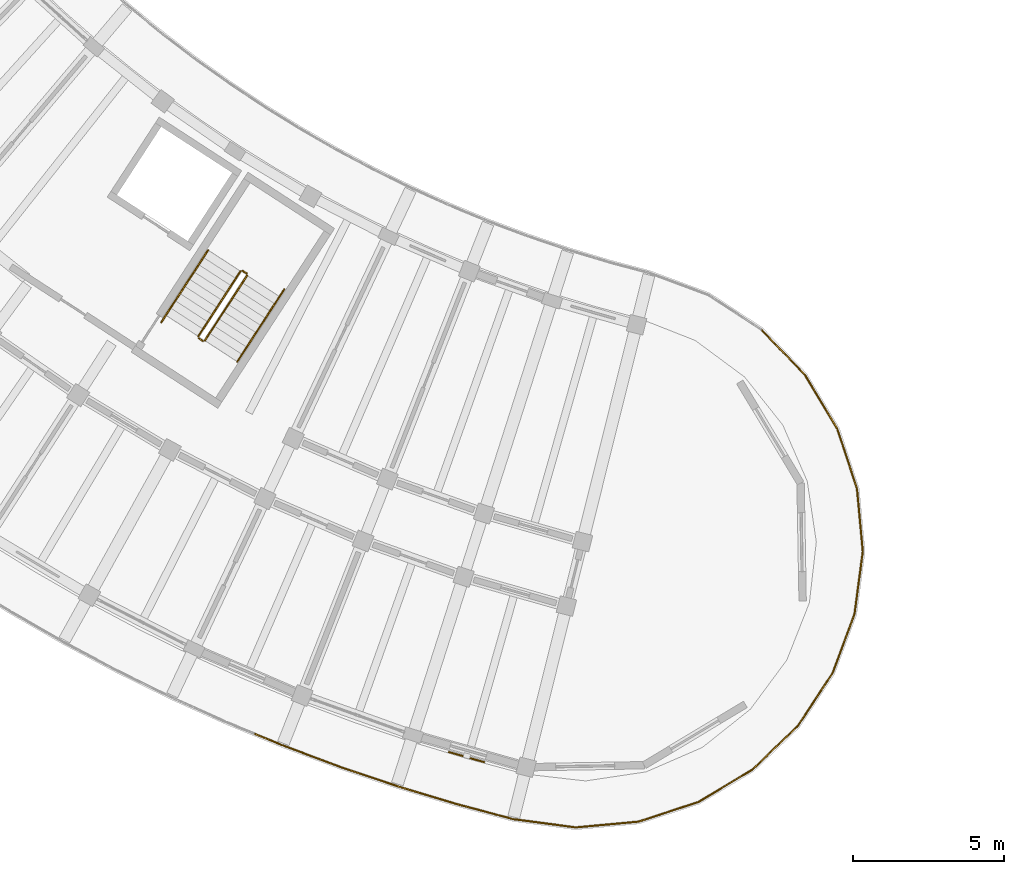
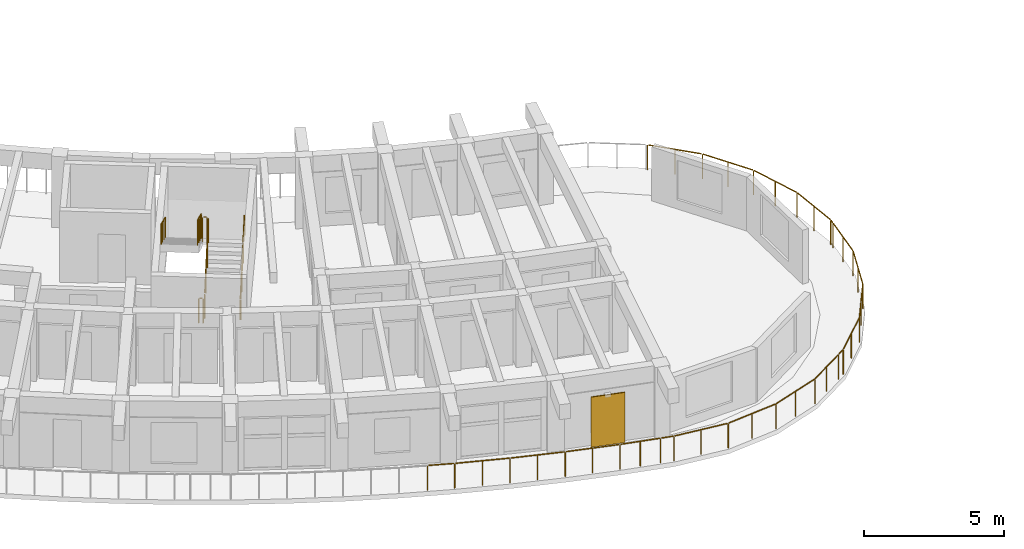
# One storey, part 81 of 96: 14 railings, 1 shading device.
"""IFC4 building model written with IfcOpenShell, lengths in metres."""

from ifc_helpers import new_model, si_unit, direction, frame, origin, origin_2d, place, context, subcontext, project, spatial, rectangle, circle, extrude, material, layer, layer_set, type_object, element, save


model = new_model("IFC4")

# Units and contexts
model_context = context("Model", 3, precision=1e-05, world=origin(), true_north=direction((0.0, 1.0)))
body_context = subcontext(model_context, "Body", "Model", "MODEL_VIEW")
ifc_project = project(units=[si_unit("LENGTHUNIT", "METRE"), si_unit("AREAUNIT", "SQUARE_METRE"), si_unit("VOLUMEUNIT", "CUBIC_METRE"), si_unit("PLANEANGLEUNIT", "RADIAN"), si_unit("MASSUNIT", "GRAM", prefix="KILO")], contexts=[model_context])

# Site, building, storey
site_placement = place(None, origin())
site = spatial("IfcSite", under=ifc_project, at=site_placement, CompositionType="ELEMENT")
building_placement = place(site_placement, origin())
building = spatial("IfcBuilding", under=site, at=building_placement, Name="Tanwirah Colonnade Gardens", CompositionType="ELEMENT")
storey_placement = place(building_placement, frame((0.0, 0.0, 12.199951171875)))
storey = spatial("IfcBuildingStorey", under=building, at=storey_placement, Name="L03", CompositionType="ELEMENT", Elevation=12.199951171875)

# Railings
ifc_material_1 = material(Name="Precast concrete C40/50", Category="concrete")
railing_type_1 = type_object("IfcRailingType", Name="BAL-EXT110", PredefinedType="BALUSTRADE", material=ifc_material_1)
railing_1_placement = place(storey_placement, frame((58.4072265625, 21.1796875, 0.0)))
element("IfcRailing", 1, at=railing_1_placement, inside=storey, type_object=railing_type_1, Name="Block C L03 Balcony Ribbon Balustrade 7", PredefinedType="BALUSTRADE", context=body_context, shape_type="SweptSolid", body=[
    extrude(circle(Radius=0.02392578125, at=origin_2d()), frame((0.021728515625, -0.0224609375, 1.076171875), z_axis=(0.692905401336, -0.721028504845, 0.0), x_axis=(0.721028504845, 0.692905401336, 0.0)), (0.0, 0.0, 1.0), 1.9775390625),
    extrude(circle(Radius=0.02392578125, at=origin_2d()), frame((1.4296875, -1.497802734375, 1.076171875), z_axis=(0.514994600754, -0.85719342111, 0.0), x_axis=(0.85719342111, 0.514994600754, 0.0)), (0.0, 0.0, 1.0), 2.0244140625),
    extrude(circle(Radius=0.02392578125, at=origin_2d()), frame((2.498046875, -3.28955078125, 1.076171875), z_axis=(0.311415597507, -0.950273816134, 0.0), x_axis=(0.950273816134, 0.311415597507, 0.0)), (0.0, 0.0, 1.0), 2.0244140625),
    extrude(circle(Radius=0.02392578125, at=origin_2d()), frame((3.14111328125, -5.274169921875, 1.076171875), z_axis=(0.092181027347, -0.995742264945, 0.0), x_axis=(0.995742264945, 0.092181027347, 0.0)), (0.0, 0.0, 1.0), 2.0244140625),
    extrude(circle(Radius=0.02392578125, at=origin_2d()), frame((3.326416015625, -7.35205078125, 1.076171875), z_axis=(-0.132485122951, -0.991184993932, 0.0), x_axis=(0.991184993932, -0.132485122951, 0.0)), (0.0, 0.0, 1.0), 0.136474609375),
    extrude(circle(Radius=0.02099609375, at=origin_2d()), origin(), (0.0, 0.0, 1.0), 1.049072265625),
    extrude(circle(Radius=0.02099609375, at=origin_2d()), frame((0.706787109375, -0.7353515625, 0.0)), (0.0, 0.0, 1.0), 1.049072265625),
    extrude(circle(Radius=0.02099609375, at=origin_2d()), frame((1.41357421875, -1.470947265625, 0.0)), (0.0, 0.0, 1.0), 1.049072265625),
    extrude(circle(Radius=0.02099609375, at=origin_2d()), frame((1.950927734375, -2.365234375, 0.0)), (0.0, 0.0, 1.0), 1.049072265625),
    extrude(circle(Radius=0.02099609375, at=origin_2d()), frame((2.48828125, -3.259765625, 0.0)), (0.0, 0.0, 1.0), 1.049072265625),
    extrude(circle(Radius=0.02099609375, at=origin_2d()), frame((2.813232421875, -4.25146484375, 0.0)), (0.0, 0.0, 1.0), 1.049072265625),
    extrude(circle(Radius=0.02099609375, at=origin_2d()), frame((3.13818359375, -5.242919921875, 0.0)), (0.0, 0.0, 1.0), 1.049072265625),
    extrude(circle(Radius=0.02099609375, at=origin_2d()), frame((3.234375, -6.281982421875, 0.0)), (0.0, 0.0, 1.0), 1.049072265625),
    extrude(circle(Radius=0.02099609375, at=origin_2d()), frame((3.33056640625, -7.321044921875, 0.0)), (0.0, 0.0, 1.0), 1.049072265625),
    extrude(circle(Radius=0.02099609375, at=origin_2d()), frame((3.30419921875, -7.518310546875, 0.0)), (0.0, 0.0, 1.0), 1.049072265625),
])
railing_2_placement = place(storey_placement, frame((61.71142578125, 13.661376953125, 0.0)))
element("IfcRailing", 2, at=railing_2_placement, inside=storey, type_object=railing_type_1, Name="Block C L03 Balcony Ribbon Balustrade 8", PredefinedType="BALUSTRADE", context=body_context, shape_type="SweptSolid", body=[
    extrude(circle(Radius=0.02392578125, at=origin_2d()), frame((-0.004150390625, -0.031005859375, 1.076171875), z_axis=(-0.131782511201, -0.991278653932, 0.0), x_axis=(0.991278653932, -0.131782511201, 0.0)), (0.0, 0.0, 1.0), 1.8251953125),
    extrude(circle(Radius=0.02392578125, at=origin_2d()), frame((-0.259765625, -1.900634765625, 1.076171875), z_axis=(-0.348994198599, -0.937124884604, 0.0), x_axis=(0.937124884604, -0.348994198599, 0.0)), (0.0, 0.0, 1.0), 2.024169921875),
    extrude(circle(Radius=0.02392578125, at=origin_2d()), frame((-0.994140625, -3.85302734375, 1.076171875), z_axis=(-0.548773979468, -0.835970764715, 0.0), x_axis=(0.835970764715, -0.548773979468, 0.0)), (0.0, 0.0, 1.0), 2.0244140625),
    extrude(circle(Radius=0.02392578125, at=origin_2d()), frame((-2.144775390625, -5.59326171875, 1.076171875), z_axis=(-0.721062309091, -0.692870223353, 0.0), x_axis=(0.692870223353, -0.721062309091, 0.0)), (0.0, 0.0, 1.0), 2.0244140625),
    extrude(circle(Radius=0.02392578125, at=origin_2d()), frame((-3.654052734375, -7.03369140625, 1.076171875), z_axis=(-0.857492925713, -0.514495755428, 0.0), x_axis=(0.514495755428, -0.857492925713, 0.0)), (0.0, 0.0, 1.0), 0.2890625),
    extrude(circle(Radius=0.02099609375, at=origin_2d()), origin(), (0.0, 0.0, 1.0), 1.049072265625),
    extrude(circle(Radius=0.02099609375, at=origin_2d()), frame((-0.12451171875, -0.935546875, 0.0)), (0.0, 0.0, 1.0), 1.049072265625),
    extrude(circle(Radius=0.02099609375, at=origin_2d()), frame((-0.248779296875, -1.871337890625, 0.0)), (0.0, 0.0, 1.0), 1.049072265625),
    extrude(circle(Radius=0.02099609375, at=origin_2d()), frame((-0.61279296875, -2.84912109375, 0.0)), (0.0, 0.0, 1.0), 1.049072265625),
    extrude(circle(Radius=0.02099609375, at=origin_2d()), frame((-0.97705078125, -3.826904296875, 0.0)), (0.0, 0.0, 1.0), 1.049072265625),
    extrude(circle(Radius=0.02099609375, at=origin_2d()), frame((-1.5498046875, -4.69921875, 0.0)), (0.0, 0.0, 1.0), 1.049072265625),
    extrude(circle(Radius=0.02099609375, at=origin_2d()), frame((-2.122314453125, -5.571533203125, 0.0)), (0.0, 0.0, 1.0), 1.049072265625),
    extrude(circle(Radius=0.02099609375, at=origin_2d()), frame((-2.874755859375, -6.29443359375, 0.0)), (0.0, 0.0, 1.0), 1.049072265625),
    extrude(circle(Radius=0.02099609375, at=origin_2d()), frame((-3.627197265625, -7.017578125, 0.0)), (0.0, 0.0, 1.0), 1.049072265625),
    extrude(circle(Radius=0.02099609375, at=origin_2d()), frame((-3.9287109375, -7.198486328125, 0.0)), (0.0, 0.0, 1.0), 1.049072265625),
])
railing_3_placement = place(storey_placement, frame((57.78271484375, 6.462890625, 0.0)))
element("IfcRailing", 3, at=railing_3_placement, inside=storey, type_object=railing_type_1, Name="Block C L03 Balcony Ribbon Balustrade 9", PredefinedType="BALUSTRADE", context=body_context, shape_type="SweptSolid", body=[
    extrude(circle(Radius=0.02392578125, at=origin_2d()), frame((-0.02685546875, -0.01611328125, 1.076171875), z_axis=(-0.857132694219, -0.515095665387, 0.0), x_axis=(0.515095665387, -0.857132694219, 0.0)), (0.0, 0.0, 1.0), 1.672607421875),
    extrude(circle(Radius=0.02392578125, at=origin_2d()), frame((-1.51708984375, -0.903564453125, 1.076171875), z_axis=(-0.950273816134, -0.311415597507, 0.0), x_axis=(0.311415597507, -0.950273816134, 0.0)), (0.0, 0.0, 1.0), 2.0244140625),
    extrude(circle(Radius=0.02392578125, at=origin_2d()), frame((-3.501708984375, -1.546630859375, 1.076171875), z_axis=(-0.995752995821, -0.0920650385, 0.0), x_axis=(0.0920650385, -0.995752995821, 0.0)), (0.0, 0.0, 1.0), 2.0244140625),
    extrude(circle(Radius=0.02392578125, at=origin_2d()), frame((-5.57958984375, -1.731689453125, 1.076171875), z_axis=(-0.991286952851, 0.131720071011, 0.0), x_axis=(-0.131720071011, -0.991286952851, 0.0)), (0.0, 0.0, 1.0), 2.0283203125),
    extrude(circle(Radius=0.02392578125, at=origin_2d()), frame((-7.6513671875, -1.452392578125, 1.076171875), z_axis=(-0.966202518502, 0.257784198974, 0.0), x_axis=(-0.257784198974, -0.966202518502, 0.0)), (0.0, 0.0, 1.0), 0.4375),
    extrude(circle(Radius=0.02099609375, at=origin_2d()), origin(), (0.0, 0.0, 1.0), 1.049072265625),
    extrude(circle(Radius=0.02099609375, at=origin_2d()), frame((-0.74365234375, -0.44677734375, 0.0)), (0.0, 0.0, 1.0), 1.049072265625),
    extrude(circle(Radius=0.02099609375, at=origin_2d()), frame((-1.4873046875, -0.893798828125, 0.0)), (0.0, 0.0, 1.0), 1.049072265625),
    extrude(circle(Radius=0.02099609375, at=origin_2d()), frame((-2.47900390625, -1.21875, 0.0)), (0.0, 0.0, 1.0), 1.049072265625),
    extrude(circle(Radius=0.02099609375, at=origin_2d()), frame((-3.470458984375, -1.543701171875, 0.0)), (0.0, 0.0, 1.0), 1.049072265625),
    extrude(circle(Radius=0.02099609375, at=origin_2d()), frame((-4.509521484375, -1.6396484375, 0.0)), (0.0, 0.0, 1.0), 1.049072265625),
    extrude(circle(Radius=0.02099609375, at=origin_2d()), frame((-5.548583984375, -1.73583984375, 0.0)), (0.0, 0.0, 1.0), 1.049072265625),
    extrude(circle(Radius=0.02099609375, at=origin_2d()), frame((-6.5849609375, -1.59814453125, 0.0)), (0.0, 0.0, 1.0), 1.049072265625),
    extrude(circle(Radius=0.02099609375, at=origin_2d()), frame((-7.62109375, -1.46044921875, 0.0)), (0.0, 0.0, 1.0), 1.049072265625),
    extrude(circle(Radius=0.02099609375, at=origin_2d()), frame((-8.104248046875, -1.33154296875, 0.0)), (0.0, 0.0, 1.0), 1.049072265625),
])
railing_4_placement = place(storey_placement, frame((49.678466796875, 5.13134765625, 0.0)))
element("IfcRailing", 4, at=railing_4_placement, inside=storey, type_object=railing_type_1, Name="Block C L03 Balcony Ribbon Balustrade 10", PredefinedType="BALUSTRADE", context=body_context, shape_type="SweptSolid", body=[
    extrude(circle(Radius=0.02392578125, at=origin_2d()), frame((-0.0302734375, 0.008056640625, 1.076171875), z_axis=(-0.966189083101, 0.257834551014, 0.0), x_axis=(-0.257834551014, -0.966189083101, 0.0)), (0.0, 0.0, 1.0), 1.440185546875),
    extrude(circle(Radius=0.02392578125, at=origin_2d()), frame((-1.48193359375, 0.396484375, 1.076171875), z_axis=(-0.957268624199, 0.289200243991, 0.0), x_axis=(-0.289200243991, -0.957268624199, 0.0)), (0.0, 0.0, 1.0), 1.944091796875),
    extrude(circle(Radius=0.02392578125, at=origin_2d()), frame((-3.40234375, 0.977783203125, 1.076171875), z_axis=(-0.947287006593, 0.320386215589, 0.0), x_axis=(-0.320386215589, -0.947287006593, 0.0)), (0.0, 0.0, 1.0), 1.94384765625),
    extrude(circle(Radius=0.02392578125, at=origin_2d()), frame((-5.302734375, 1.62158203125, 1.076171875), z_axis=(-0.93628917395, 0.351230099427, 0.0), x_axis=(-0.351230099427, -0.93628917395, 0.0)), (0.0, 0.0, 1.0), 1.9443359375),
    extrude(circle(Radius=0.02392578125, at=origin_2d()), frame((-7.18115234375, 2.327392578125, 1.076171875), z_axis=(-0.924320802518, 0.381616370237, 0.0), x_axis=(-0.381616370237, -0.924320802518, 0.0)), (0.0, 0.0, 1.0), 0.9150390625),
    extrude(circle(Radius=0.02099609375, at=origin_2d()), origin(), (0.0, 0.0, 1.0), 1.049072265625),
    extrude(circle(Radius=0.02099609375, at=origin_2d()), frame((-0.72607421875, 0.19384765625, 0.0)), (0.0, 0.0, 1.0), 1.049072265625),
    extrude(circle(Radius=0.02099609375, at=origin_2d()), frame((-1.451904296875, 0.387451171875, 0.0)), (0.0, 0.0, 1.0), 1.049072265625),
    extrude(circle(Radius=0.02099609375, at=origin_2d()), frame((-2.412353515625, 0.677734375, 0.0)), (0.0, 0.0, 1.0), 1.049072265625),
    extrude(circle(Radius=0.02099609375, at=origin_2d()), frame((-3.372802734375, 0.9677734375, 0.0)), (0.0, 0.0, 1.0), 1.049072265625),
    extrude(circle(Radius=0.02099609375, at=origin_2d()), frame((-4.3232421875, 1.2890625, 0.0)), (0.0, 0.0, 1.0), 1.049072265625),
    extrude(circle(Radius=0.02099609375, at=origin_2d()), frame((-5.2734375, 1.610595703125, 0.0)), (0.0, 0.0, 1.0), 1.049072265625),
    extrude(circle(Radius=0.02099609375, at=origin_2d()), frame((-6.212890625, 1.962890625, 0.0)), (0.0, 0.0, 1.0), 1.049072265625),
    extrude(circle(Radius=0.02099609375, at=origin_2d()), frame((-7.15234375, 2.3154296875, 0.0)), (0.0, 0.0, 1.0), 1.049072265625),
    extrude(circle(Radius=0.02099609375, at=origin_2d()), frame((-8.055908203125, 2.6884765625, 0.0)), (0.0, 0.0, 1.0), 1.049072265625),
])
ifc_material_2 = material(Name="Powder-coated galvanized steel", Category="steel")
railing_type_2 = type_object("IfcRailingType", Name="GRD-ST110", PredefinedType="GUARDRAIL", material=ifc_material_2)
railing_5_placement = place(storey_placement, frame((39.955078125, 20.84814453125, 0.16796875)))
element("IfcRailing", 5, at=railing_5_placement, inside=storey, type_object=railing_type_2, Name="L03 ST-C2 stair guard 1", PredefinedType="GUARDRAIL", context=body_context, shape_type="SweptSolid", body=[
    extrude(circle(Radius=0.02392578125, at=origin_2d()), frame((0.0146484375, 0.022705078125, 1.092041015625), z_axis=(0.469192556557, 0.722484378858, 0.507813614603), x_axis=(-0.838667537708, 0.544643701143, 0.0)), (0.0, 0.0, 1.0), 2.914794921875),
    extrude(circle(Radius=0.02099609375, at=origin_2d()), origin(), (0.0, 0.0, 1.0), 1.049072265625),
    extrude(circle(Radius=0.02099609375, at=origin_2d()), frame((0.465576171875, 0.717041015625, 0.50390625)), (0.0, 0.0, 1.0), 1.049072265625),
    extrude(circle(Radius=0.02099609375, at=origin_2d()), frame((0.931396484375, 1.43408203125, 1.008056640625)), (0.0, 0.0, 1.0), 1.049072265625),
    extrude(circle(Radius=0.02099609375, at=origin_2d()), frame((1.39697265625, 2.151123046875, 1.511962890625)), (0.0, 0.0, 1.0), 1.049072265625),
])
railing_6_placement = place(storey_placement, frame((41.33740234375, 23.068603515625, 1.679931640625)))
element("IfcRailing", 6, at=railing_6_placement, inside=storey, type_object=railing_type_2, Name="L03 ST-C2 stair guard 2", PredefinedType="GUARDRAIL", context=body_context, shape_type="SweptSolid", body=[
    extrude(circle(Radius=0.02392578125, at=origin_2d()), frame((-0.026123046875, 0.01708984375, 1.076171875), z_axis=(-0.838791880614, 0.544452184326, 0.0), x_axis=(-0.544452184326, -0.838791880614, 0.0)), (0.0, 0.0, 1.0), 0.09765625),
    extrude(circle(Radius=0.02099609375, at=origin_2d()), origin(), (0.0, 0.0, 1.0), 1.049072265625),
    extrude(circle(Radius=0.02099609375, at=origin_2d()), frame((-0.13427734375, 0.087158203125, 0.0)), (0.0, 0.0, 1.0), 1.049072265625),
])
railing_7_placement = place(storey_placement, frame((41.134033203125, 23.140869140625, 1.84814453125)))
element("IfcRailing", 7, at=railing_7_placement, inside=storey, type_object=railing_type_2, Name="L03 ST-C2 stair guard 3", PredefinedType="GUARDRAIL", context=body_context, shape_type="SweptSolid", body=[
    extrude(circle(Radius=0.02392578125, at=origin_2d()), frame((-0.0146484375, -0.022705078125, 1.092041015625), z_axis=(-0.469192556557, -0.722484378858, 0.507813614603), x_axis=(0.838667537708, -0.544643701143, 0.0)), (0.0, 0.0, 1.0), 2.914794921875),
    extrude(circle(Radius=0.02099609375, at=origin_2d()), origin(), (0.0, 0.0, 1.0), 1.049072265625),
    extrude(circle(Radius=0.02099609375, at=origin_2d()), frame((-0.465576171875, -0.717041015625, 0.50390625)), (0.0, 0.0, 1.0), 1.049072265625),
    extrude(circle(Radius=0.02099609375, at=origin_2d()), frame((-0.931396484375, -1.43408203125, 1.008056640625)), (0.0, 0.0, 1.0), 1.049072265625),
    extrude(circle(Radius=0.02099609375, at=origin_2d()), frame((-1.39697265625, -2.151123046875, 1.511962890625)), (0.0, 0.0, 1.0), 1.049072265625),
])
railing_8_placement = place(storey_placement, frame((39.8857421875, 20.83349609375, 0.0)))
element("IfcRailing", 8, at=railing_8_placement, inside=storey, type_object=railing_type_2, Name="L03 ST-C2 stair guard 4", PredefinedType="GUARDRAIL", context=body_context, shape_type="SweptSolid", body=[
    extrude(circle(Radius=0.02392578125, at=origin_2d()), frame((-0.026123046875, 0.01708984375, 1.076171875), z_axis=(-0.838338936283, 0.545149362938, 0.0), x_axis=(-0.545149362938, -0.838338936283, 0.0)), (0.0, 0.0, 1.0), 0.097412109375),
    extrude(circle(Radius=0.02099609375, at=origin_2d()), origin(), (0.0, 0.0, 1.0), 1.049072265625),
    extrude(circle(Radius=0.02099609375, at=origin_2d()), frame((-0.134033203125, 0.087158203125, 0.0)), (0.0, 0.0, 1.0), 1.049072265625),
])
ifc_material_3 = material(Name="Brushed bronze stainless steel", Category="steel")
railing_type_3 = type_object("IfcRailingType", Name="HR-ST090", PredefinedType="HANDRAIL", material=ifc_material_3)
railing_9_placement = place(storey_placement, frame((41.028564453125, 20.151123046875, 0.16796875)))
element("IfcRailing", 9, at=railing_9_placement, inside=storey, type_object=railing_type_3, Name="L03 ST-C2 stair handrail 1", PredefinedType="HANDRAIL", context=body_context, shape_type="SweptSolid", body=[
    extrude(circle(Radius=0.02392578125, at=origin_2d()), frame((0.0146484375, 0.0224609375, 0.891845703125), z_axis=(0.467836641068, 0.720411023977, 0.511993001717), x_axis=(-0.838672561027, 0.544635965926, 0.0)), (0.0, 0.0, 1.0), 1.043212890625),
    extrude(circle(Radius=0.02099609375, at=origin_2d()), origin(), (0.0, 0.0, 1.0), 0.848876953125),
    extrude(circle(Radius=0.02099609375, at=origin_2d()), frame((0.517333984375, 0.796630859375, 0.566162109375)), (0.0, 0.0, 1.0), 0.848876953125),
])
railing_10_placement = place(storey_placement, frame((41.5458984375, 20.94775390625, 0.734130859375)))
element("IfcRailing", 10, at=railing_10_placement, inside=storey, type_object=railing_type_3, Name="L03 ST-C2 stair handrail 2", PredefinedType="HANDRAIL", context=body_context, shape_type="SweptSolid", body=[
    extrude(circle(Radius=0.02392578125, at=origin_2d()), frame((0.0146484375, 0.0224609375, 0.891845703125), z_axis=(0.467889522294, 0.720492454576, 0.511830067333), x_axis=(-0.838672561027, 0.544635965926, 0.0)), (0.0, 0.0, 1.0), 1.043212890625),
    extrude(circle(Radius=0.02099609375, at=origin_2d()), origin(), (0.0, 0.0, 1.0), 0.848876953125),
    extrude(circle(Radius=0.02099609375, at=origin_2d()), frame((0.517333984375, 0.796630859375, 0.56591796875)), (0.0, 0.0, 1.0), 0.848876953125),
])
railing_11_placement = place(storey_placement, frame((42.063232421875, 21.744384765625, 1.300048828125)))
element("IfcRailing", 11, at=railing_11_placement, inside=storey, type_object=railing_type_3, Name="L03 ST-C2 stair handrail 3", PredefinedType="HANDRAIL", context=body_context, shape_type="SweptSolid", body=[
    extrude(circle(Radius=0.02392578125, at=origin_2d()), frame((0.0146484375, 0.0224609375, 0.891845703125), z_axis=(0.467987521127, 0.720524183471, 0.511695789609), x_axis=(-0.838631412534, 0.544699324317, 0.0)), (0.0, 0.0, 1.0), 1.04345703125),
    extrude(circle(Radius=0.02099609375, at=origin_2d()), origin(), (0.0, 0.0, 1.0), 0.848876953125),
    extrude(circle(Radius=0.02099609375, at=origin_2d()), frame((0.517578125, 0.796875, 0.56591796875)), (0.0, 0.0, 1.0), 0.848876953125),
])
railing_12_placement = place(storey_placement, frame((40.060546875, 23.838134765625, 1.84814453125)))
element("IfcRailing", 12, at=railing_12_placement, inside=storey, type_object=railing_type_3, Name="L03 ST-C2 stair handrail 4", PredefinedType="HANDRAIL", context=body_context, shape_type="SweptSolid", body=[
    extrude(circle(Radius=0.02392578125, at=origin_2d()), frame((-0.0146484375, -0.0224609375, 0.891845703125), z_axis=(-0.467987521127, -0.720524183471, 0.511695789609), x_axis=(0.838631412534, -0.544699324317, 0.0)), (0.0, 0.0, 1.0), 1.04345703125),
    extrude(circle(Radius=0.02099609375, at=origin_2d()), origin(), (0.0, 0.0, 1.0), 0.848876953125),
    extrude(circle(Radius=0.02099609375, at=origin_2d()), frame((-0.517578125, -0.796875, 0.56591796875)), (0.0, 0.0, 1.0), 0.848876953125),
])
railing_13_placement = place(storey_placement, frame((39.54296875, 23.041259765625, 2.4140625)))
element("IfcRailing", 13, at=railing_13_placement, inside=storey, type_object=railing_type_3, Name="L03 ST-C2 stair handrail 5", PredefinedType="HANDRAIL", context=body_context, shape_type="SweptSolid", body=[
    extrude(circle(Radius=0.02392578125, at=origin_2d()), frame((-0.0146484375, -0.0224609375, 0.891845703125), z_axis=(-0.467889522294, -0.720492454576, 0.511830067333), x_axis=(0.838672561027, -0.544635965926, 0.0)), (0.0, 0.0, 1.0), 1.043212890625),
    extrude(circle(Radius=0.02099609375, at=origin_2d()), origin(), (0.0, 0.0, 1.0), 0.848876953125),
    extrude(circle(Radius=0.02099609375, at=origin_2d()), frame((-0.517333984375, -0.796630859375, 0.56591796875)), (0.0, 0.0, 1.0), 0.848876953125),
])
railing_14_placement = place(storey_placement, frame((39.025634765625, 22.24462890625, 2.97998046875)))
element("IfcRailing", 14, at=railing_14_placement, inside=storey, type_object=railing_type_3, Name="L03 ST-C2 stair handrail 6", PredefinedType="HANDRAIL", context=body_context, shape_type="SweptSolid", body=[
    extrude(circle(Radius=0.02392578125, at=origin_2d()), frame((-0.0146484375, -0.0224609375, 0.891845703125), z_axis=(-0.467836641068, -0.720411023977, 0.511993001717), x_axis=(0.838672561027, -0.544635965926, 0.0)), (0.0, 0.0, 1.0), 1.043212890625),
    extrude(circle(Radius=0.02099609375, at=origin_2d()), origin(), (0.0, 0.0, 1.0), 0.848876953125),
    extrude(circle(Radius=0.02099609375, at=origin_2d()), frame((-0.517333984375, -0.796630859375, 0.566162109375)), (0.0, 0.0, 1.0), 0.848876953125),
])

# Shading device
ifc_material_4 = material(Name="Perforated architectural bronze aluminium", Category="aluminium")
ifc_layer = layer(ifc_material_4, 0.044921875)
ifc_layer_set = layer_set([ifc_layer], Name="Perforated architectural bronze aluminium")
shading_device_type = type_object("IfcShadingDeviceType", Name="SHD-MSH1", PredefinedType="JALOUSIE", material=ifc_layer_set)
shading_device_placement = place(storey_placement, frame((48.61669921875, 7.054931640625, 0.0), z_axis=(0.0, 0.0, 1.0), x_axis=(0.961860770803, -0.273539499139, 0.0)))
element("IfcShadingDevice", 15, at=shading_device_placement, inside=storey, type_object=shading_device_type, Name="Bronze mashrabiya solar screen C-L03-15", PredefinedType="JALOUSIE", context=body_context, shape_type="SweptSolid", body=[
    extrude(rectangle(XDim=1.239990234375, YDim=0.044921875, at=origin_2d()), origin(), (0.0, 0.0, 1.0), 2.18505859375),
])

save(model, "model.ifc")
